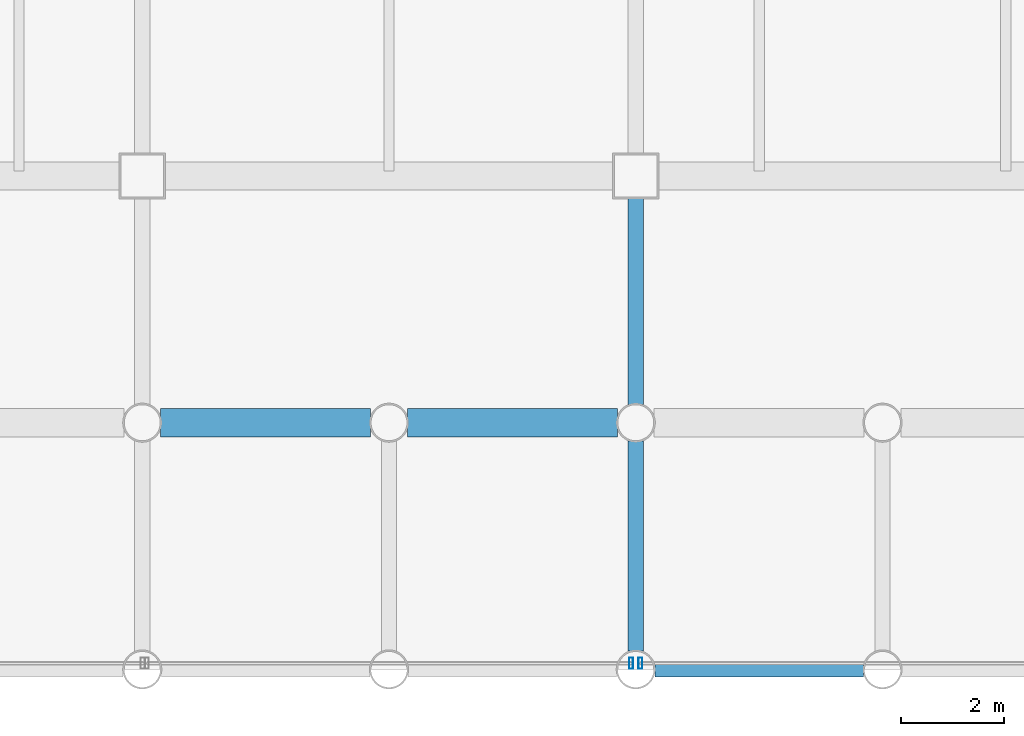
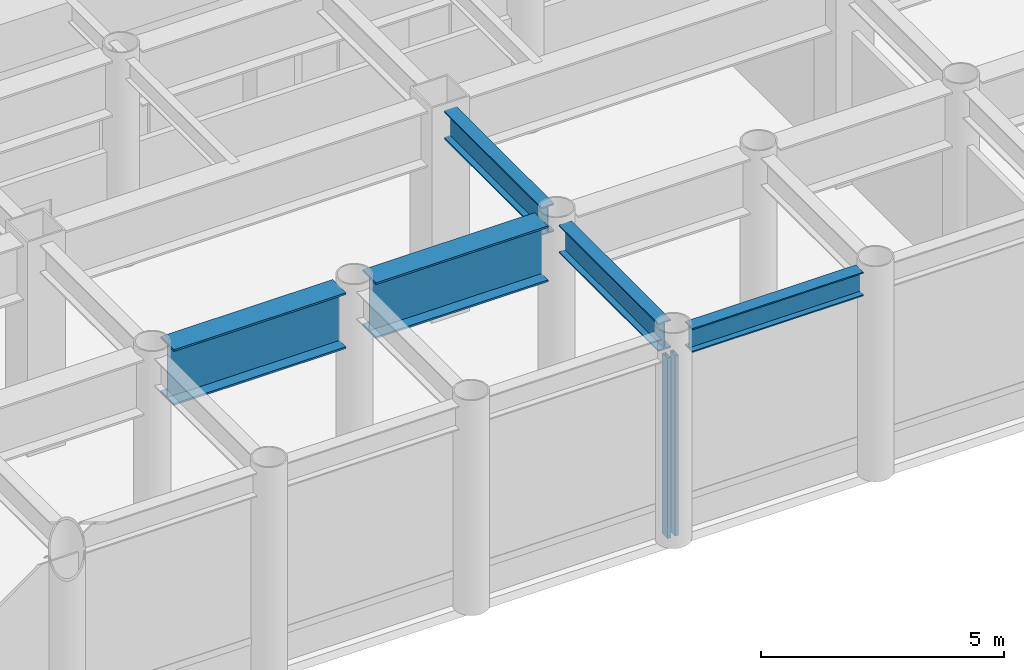
# One storey, part 4 of 20: 5 beams, 2 members, 2 elements without a shape of their own.
"""IFC4 building model written with IfcOpenShell, lengths in metres."""

import ifcopenshell
import ifcopenshell.guid

model = None  # the IFC model being written
_history = None  # IfcOwnerHistory: only IFC2X3 demands one
_inside = {}  # id of a spatial element -> (the spatial element, [elements in it])
_under = {}  # id of a project, library or spatial element -> (it, [spatial elements below it])
_declared = {}  # id of a project -> (the project, [libraries it declares])
_typed = {}  # id of a type object -> (the type object, [elements of that type])
_made_of = {}  # id of a material, layer set ... -> (it, [elements and type objects made of it])


def new_model(schema):
    """Start an empty IFC model of exactly this schema.

    Asked for "IFC4X3", IfcOpenShell would pick the latest addendum, in which some entities
    have other attributes; the version numbers below select the first issue.
    IFC2X3 requires an IfcOwnerHistory on every rooted entity: one is made here for all.
    """
    global model, _history
    if schema == "IFC4X3":
        model = ifcopenshell.file(schema_version=(4, 3, 0, 0))
    else:
        model = ifcopenshell.file(schema=schema)
    _inside.clear()
    _under.clear()
    _declared.clear()
    _typed.clear()
    _made_of.clear()
    _history = None
    if model.schema == "IFC2X3":
        org = make("IfcOrganization", Name="unknown")
        user = make(
            "IfcPersonAndOrganization",
            ThePerson=make("IfcPerson", FamilyName="unknown"),
            TheOrganization=org,
        )
        app = make(
            "IfcApplication",
            ApplicationDeveloper=org,
            Version="unknown",
            ApplicationFullName="unknown",
            ApplicationIdentifier="unknown",
        )
        _history = make(
            "IfcOwnerHistory",
            OwningUser=user,
            OwningApplication=app,
            ChangeAction="ADDED",
            CreationDate=0,
        )
    return model


def make(cls, **values):
    """One entity of the class cls with the attributes given. An attribute that is None is left unset."""
    return model.create_entity(
        cls, **{name: value for name, value in values.items() if value is not None}
    )


def rooted(cls, **values):
    """An entity with a GlobalId (a new one), such as an element, a storey or a relation."""
    return make(cls, GlobalId=ifcopenshell.guid.new(), OwnerHistory=_history, **values)


def si_unit(unit_type, name, prefix=None):
    """IfcSIUnit, for example si_unit("LENGTHUNIT", "METRE", prefix="MILLI")."""
    return make("IfcSIUnit", UnitType=unit_type, Prefix=prefix, Name=name)


def assignment(units):
    """IfcUnitAssignment: the units of a project."""
    return None if units is None else make("IfcUnitAssignment", Units=units)


def point(xyz):
    """IfcCartesianPoint."""
    return None if xyz is None else make("IfcCartesianPoint", Coordinates=xyz)


def direction(xyz):
    """IfcDirection."""
    return None if xyz is None else make("IfcDirection", DirectionRatios=xyz)


def frame(location, z_axis=None, x_axis=None):
    """IfcAxis2Placement3D, a coordinate frame: its origin and axes. An axis left out is left unset."""
    return make(
        "IfcAxis2Placement3D",
        Location=point(location),
        Axis=direction(z_axis),
        RefDirection=direction(x_axis),
    )


def frame_2d(location, x_axis=None):
    """IfcAxis2Placement2D, a coordinate frame in the plane: its origin and x axis."""
    return make(
        "IfcAxis2Placement2D", Location=point(location), RefDirection=direction(x_axis)
    )


def origin():
    """The frame at (0, 0, 0) with its axes left unset."""
    return frame((0.0, 0.0, 0.0))


def origin_2d():
    """The frame at (0, 0) in the plane with its x axis left unset."""
    return frame_2d((0.0, 0.0))


def place(relative_to, where):
    """IfcLocalPlacement: puts the frame where relative to a parent placement (None: the world)."""
    return make(
        "IfcLocalPlacement", PlacementRelTo=relative_to, RelativePlacement=where
    )


def context(
    kind, dimensions, precision=None, world=None, true_north=None, identifier=None
):
    """IfcGeometricRepresentationContext, for example the 3D "Model" context."""
    return make(
        "IfcGeometricRepresentationContext",
        ContextIdentifier=identifier,
        ContextType=kind,
        CoordinateSpaceDimension=dimensions,
        Precision=precision,
        WorldCoordinateSystem=world,
        TrueNorth=true_north,
    )


def subcontext(parent, identifier, kind, view, scale=None):
    """IfcGeometricRepresentationSubContext, for example "Body" below "Model"."""
    return make(
        "IfcGeometricRepresentationSubContext",
        ContextIdentifier=identifier,
        ContextType=kind,
        ParentContext=parent,
        TargetScale=scale,
        TargetView=view,
    )


def project(units=None, contexts=None):
    """IfcProject with its units and contexts."""
    return rooted(
        "IfcProject",
        Name="project",
        RepresentationContexts=contexts,
        UnitsInContext=assignment(units),
    )


def spatial(cls, under=None, at=None, **own):
    """A site, building, storey or space (cls), placed at a placement, below another one or the project."""
    s = rooted(cls, ObjectPlacement=at, **own)
    if under is not None:
        _under.setdefault(under.id(), (under, []))[1].append(s)
    return s


def profile(cls, at=None, kind="AREA", **sizes):
    """A parametric profile (cls). Its sizes go by their IFC names, for example OverallWidth=200.0."""
    return make(cls, ProfileType=kind, Position=at, **sizes)


def hollow_rectangle(**sizes):
    """IfcRectangleHollowProfileDef."""
    return profile("IfcRectangleHollowProfileDef", **sizes)


def i_section(**sizes):
    """IfcIShapeProfileDef."""
    return profile("IfcIShapeProfileDef", **sizes)


def extrude(swept, where, along, depth):
    """IfcExtrudedAreaSolid: the profile swept, set in the frame where, extruded along a direction by depth."""
    return make(
        "IfcExtrudedAreaSolid",
        SweptArea=swept,
        Position=where,
        ExtrudedDirection=direction(along),
        Depth=depth,
    )


def shape(context_of_items, identifier, shape_type, items):
    """IfcShapeRepresentation: the items that make up one representation, for example the "Body"."""
    return make(
        "IfcShapeRepresentation",
        ContextOfItems=context_of_items,
        RepresentationIdentifier=identifier,
        RepresentationType=shape_type,
        Items=items,
    )


def material(Name=None, Category=None):
    """IfcMaterial."""
    return make("IfcMaterial", Name=Name, Category=Category)


def layer(
    of_material, thickness, ventilated=None, Name=None, Category=None, Priority=None
):
    """IfcMaterialLayer: one layer of a wall or slab, of a material (None: an air gap)."""
    return make(
        "IfcMaterialLayer",
        Material=of_material,
        LayerThickness=thickness,
        IsVentilated=ventilated,
        Name=Name,
        Category=Category,
        Priority=Priority,
    )


def layer_set(layers, Name=None):
    """IfcMaterialLayerSet."""
    return make("IfcMaterialLayerSet", MaterialLayers=layers, LayerSetName=Name)


def material_profile(
    of_material, cross_section, Name=None, Category=None, Priority=None
):
    """IfcMaterialProfile: a cross section and its material."""
    return make(
        "IfcMaterialProfile",
        Name=Name,
        Material=of_material,
        Profile=cross_section,
        Priority=Priority,
        Category=Category,
    )


def profile_set(profiles, Name=None, composite=None):
    """IfcMaterialProfileSet."""
    return make(
        "IfcMaterialProfileSet",
        Name=Name,
        MaterialProfiles=profiles,
        CompositeProfile=composite,
    )


def made_of(thing, what):
    """Note that an element or type object is made of a material, layer set ...; save() writes the relation."""
    if what is not None:
        _made_of.setdefault(what.id(), (what, []))[1].append(thing)
    return thing


def type_object(cls, material=None, **own):
    """A type object (cls), such as IfcWallType, which elements share."""
    return made_of(rooted(cls, **own), material)


def element(
    cls,
    number,
    at=None,
    inside=None,
    cuts=None,
    type_object=None,
    material=None,
    context=None,
    identifier="Body",
    shape_type=None,
    held_by="IfcProductDefinitionShape",
    body=None,
    shapes=None,
    **own,
):
    """One element of the class cls, such as IfcWall. Its Tag is "e" and its number.

    at: its placement. inside: the storey or other place that contains it. cuts: it is an
    opening in that element (IfcRelVoidsElement). A single representation is given by context,
    identifier, shape_type and body (its items); several are given by shapes. held_by: the class
    of the entity that holds the representations. save() writes the other relations.
    """
    e = rooted(cls, Tag="e%d" % number, ObjectPlacement=at, **own)
    if body is not None:
        shapes = [shape(context, identifier, shape_type, body)]
    if shapes is not None:
        e.Representation = make(held_by, Representations=shapes)
    if inside is not None:
        _inside.setdefault(inside.id(), (inside, []))[1].append(e)
    if cuts is not None:
        rooted(
            "IfcRelVoidsElement", RelatingBuildingElement=cuts, RelatedOpeningElement=e
        )
    if type_object is not None:
        _typed.setdefault(type_object.id(), (type_object, []))[1].append(e)
    return made_of(e, material)


def aggregate(whole, parts):
    """IfcRelAggregates: a whole, such as a stair, and the parts it consists of."""
    return rooted("IfcRelAggregates", RelatingObject=whole, RelatedObjects=parts)


def save(model, path):
    """Write the relations noted so far, then the file.

    IfcRelAggregates (storeys below a building ...), IfcRelContainedInSpatialStructure (elements
    in a storey), IfcRelDefinesByType, IfcRelAssociatesMaterial and IfcRelDeclares: one each for
    every whole, place, type object, material and project.
    """
    for whole, parts in _under.values():
        aggregate(whole, parts)
    for where, things in _inside.values():
        rooted(
            "IfcRelContainedInSpatialStructure",
            RelatedElements=things,
            RelatingStructure=where,
        )
    for kind, things in _typed.values():
        rooted("IfcRelDefinesByType", RelatedObjects=things, RelatingType=kind)
    for what, things in _made_of.values():
        rooted("IfcRelAssociatesMaterial", RelatedObjects=things, RelatingMaterial=what)
    for by, libraries in _declared.values():
        rooted("IfcRelDeclares", RelatingContext=by, RelatedDefinitions=libraries)
    model.write(path)


model = new_model("IFC4")

# Units and contexts
model_context = context("Model", 3, precision=1e-05, world=origin(), true_north=direction((0.0, 1.0)))
body_context = subcontext(model_context, "Body", "Model", "MODEL_VIEW")
ifc_project = project(units=[si_unit("LENGTHUNIT", "METRE"), si_unit("AREAUNIT", "SQUARE_METRE"), si_unit("VOLUMEUNIT", "CUBIC_METRE"), si_unit("PLANEANGLEUNIT", "RADIAN"), si_unit("MASSUNIT", "GRAM", prefix="KILO")], contexts=[model_context])

# Site, building, storey
site_placement = place(None, origin())
site = spatial("IfcSite", under=ifc_project, at=site_placement, CompositionType="ELEMENT")
building_placement = place(site_placement, origin())
building = spatial("IfcBuilding", under=site, at=building_placement, Name="Kallvorn Hotel Tower", CompositionType="ELEMENT")
storey_placement = place(building_placement, frame((0.0, 0.0, 24.60009765625)))
storey = spatial("IfcBuildingStorey", under=building, at=storey_placement, Name="L04", CompositionType="ELEMENT", Elevation=24.60009765625)

# Beams
ifc_material_1 = material(Name="Structural steel S355JR", Category="steel")
ifc_material_profile_1 = material_profile(ifc_material_1, i_section(OverallWidth=0.300048828125, OverallDepth=0.60009765625, WebThickness=0.015380859375, FlangeThickness=0.030029296875, at=origin_2d()), Name="HE 600 B")
ifc_profile_set_1 = profile_set([ifc_material_profile_1], Name="Structural steel S355JR")
beam_type_1 = type_object("IfcBeamType", Name="BM_HE600B", PredefinedType="SPANDREL", material=ifc_profile_set_1)
beam_1_placement = place(storey_placement, frame((5.1708984375, -24.0, 4.919921875), z_axis=(1.0, 0.0, 0.0), x_axis=(0.0, 1.0, 0.0)))
element("IfcBeam", 1, at=beam_1_placement, inside=storey, type_object=beam_type_1, Name="L05 Perimeter Spandrel 187", PredefinedType="SPANDREL", context=body_context, shape_type="SweptSolid", body=[
    extrude(i_section(OverallWidth=0.300048828125, OverallDepth=0.60009765625, WebThickness=0.015380859375, FlangeThickness=0.030029296875, at=origin_2d()), origin(), (0.0, 0.0, 1.0), 4.05810546875),
])
ifc_material_2 = material(Name="Structural steel S355JR", Category="steel")
ifc_material_profile_2 = material_profile(ifc_material_2, i_section(OverallWidth=0.300048828125, OverallDepth=0.699951171875, WebThickness=0.01708984375, FlangeThickness=0.031982421875, at=origin_2d()), Name="HE 700 B")
ifc_profile_set_2 = profile_set([ifc_material_profile_2], Name="Structural steel S355JR")
beam_type_2 = type_object("IfcBeamType", Name="BM_HE700B", PredefinedType="BEAM", material=ifc_profile_set_2)
beam_2_placement = place(storey_placement, frame((4.800048828125, -23.64404296875, 4.869873046875), z_axis=(0.0, 1.0, 0.0), x_axis=(-1.0, 0.0, 0.0)))
element("IfcBeam", 2, at=beam_2_placement, inside=storey, type_object=beam_type_2, Name="L05 Primary Y-Girder 136", PredefinedType="BEAM", context=body_context, shape_type="SweptSolid", body=[
    extrude(i_section(OverallWidth=0.300048828125, OverallDepth=0.699951171875, WebThickness=0.01708984375, FlangeThickness=0.031982421875, at=origin_2d()), origin(), (0.0, 0.0, 1.0), 4.088134765625),
])
beam_3_placement = place(storey_placement, frame((4.800048828125, -18.843994140625, 4.869873046875), z_axis=(0.0, 1.0, 0.0), x_axis=(-1.0, 0.0, 0.0)))
element("IfcBeam", 3, at=beam_3_placement, inside=storey, type_object=beam_type_2, Name="L05 Primary Y-Girder 137", PredefinedType="BEAM", context=body_context, shape_type="SweptSolid", body=[
    extrude(i_section(OverallWidth=0.300048828125, OverallDepth=0.699951171875, WebThickness=0.01708984375, FlangeThickness=0.031982421875, at=origin_2d()), origin(), (0.0, 0.0, 1.0), 4.01904296875),
])
ifc_material_3 = material(Name="Structural steel S355JR", Category="steel")
ifc_material_profile_3 = material_profile(ifc_material_3, i_section(OverallWidth=0.550048828125, OverallDepth=1.39990234375, WebThickness=0.02490234375, FlangeThickness=0.044921875, at=origin_2d()), Name="PG 1400x550x25x45")
ifc_profile_set_3 = profile_set([ifc_material_profile_3], Name="Structural steel S355JR")
beam_type_3 = type_object("IfcBeamType", Name="BM_PG_1400", PredefinedType="BEAM", material=ifc_profile_set_3)
for number, where, z_axis, x_axis, name in (
    (4, (-4.444091796875, -19.199951171875, 4.52001953125), (1.0, 0.0, 0.0), (0.0, 1.0, 0.0), "L05 Primary X-Girder 15"),
    (5, (0.35595703125, -19.199951171875, 4.52001953125), (1.0, 0.0, 0.0), (0.0, 1.0, 0.0), "L05 Primary X-Girder 16"),
):
    element("IfcBeam", number, at=place(storey_placement, frame(where, z_axis=z_axis, x_axis=x_axis)), inside=storey, type_object=beam_type_3, Name=name, PredefinedType="BEAM", context=body_context, shape_type="SweptSolid", body=[
        extrude(i_section(OverallWidth=0.550048828125, OverallDepth=1.39990234375, WebThickness=0.02490234375, FlangeThickness=0.044921875, at=origin_2d()), origin(), (0.0, 0.0, 1.0), 4.088134765625),
    ])

# Curtain wall, member
ifc_material_4 = material(Name="Thermally broken black-anodised aluminium AA 6063-T6", Category="aluminium")
ifc_layer = layer(ifc_material_4, 0.219970703125)
ifc_layer_set = layer_set([ifc_layer], Name="CW_SYS_2_PODIUM_CASC")
curtain_wall_type = type_object("IfcCurtainWallType", Name="CW_SYS_2_PODIUM_CASC", PredefinedType="USERDEFINED", material=ifc_layer_set)
curtain_wall_1_placement = place(storey_placement, origin())
curtain_wall_1 = element("IfcCurtainWall", 6, at=curtain_wall_1_placement, inside=storey, type_object=curtain_wall_type, Name="L04 Dark-Glass Curtain Wall CW-L04-S2", ObjectType="UNITISED CURTAIN WALL", PredefinedType="USERDEFINED")
ifc_material_5 = material(Name="Thermally broken black-anodised aluminium AA 6063-T6", Category="aluminium")
ifc_material_profile_4 = material_profile(ifc_material_5, hollow_rectangle(XDim=0.080078125, YDim=0.219970703125, WallThickness=0.0048828125, at=origin_2d()), Name="MUL 220x80")
ifc_profile_set_4 = profile_set([ifc_material_profile_4], Name="Thermally broken black-anodised aluminium AA 6063-T6")
member_type = type_object("IfcMemberType", Name="CW_MULLION_220x80", PredefinedType="MULLION", material=ifc_profile_set_4)
member_1_placement = place(storey_placement, frame((4.7099609375, -23.8798828125, 0.02001953125), z_axis=(0.0, 0.0, 1.0), x_axis=(1.0, 0.0, 0.0)))
member_1 = element("IfcMember", 7, at=member_1_placement, type_object=member_type, Name="CW-L04-S2 Mullion 01", PredefinedType="MULLION", context=body_context, shape_type="SweptSolid", body=[
    extrude(hollow_rectangle(XDim=0.080078125, YDim=0.219970703125, WallThickness=0.0048828125, at=origin_2d()), origin(), (0.0, 0.0, 1.0), 4.52978515625),
])
aggregate(curtain_wall_1, [member_1])

curtain_wall_2_placement = place(storey_placement, origin())
curtain_wall_2 = element("IfcCurtainWall", 8, at=curtain_wall_2_placement, inside=storey, type_object=curtain_wall_type, Name="L04 Dark-Glass Curtain Wall CW-L04-S3", ObjectType="UNITISED CURTAIN WALL", PredefinedType="USERDEFINED")
member_2_placement = place(storey_placement, frame((4.889892578125, -23.8798828125, 0.02001953125), z_axis=(0.0, 0.0, 1.0), x_axis=(1.0, 0.0, 0.0)))
member_2 = element("IfcMember", 9, at=member_2_placement, type_object=member_type, Name="CW-L04-S3 Mullion 00", PredefinedType="MULLION", context=body_context, shape_type="SweptSolid", body=[
    extrude(hollow_rectangle(XDim=0.080078125, YDim=0.219970703125, WallThickness=0.0048828125, at=origin_2d()), origin(), (0.0, 0.0, 1.0), 4.52978515625),
])
aggregate(curtain_wall_2, [member_2])

save(model, "model.ifc")
